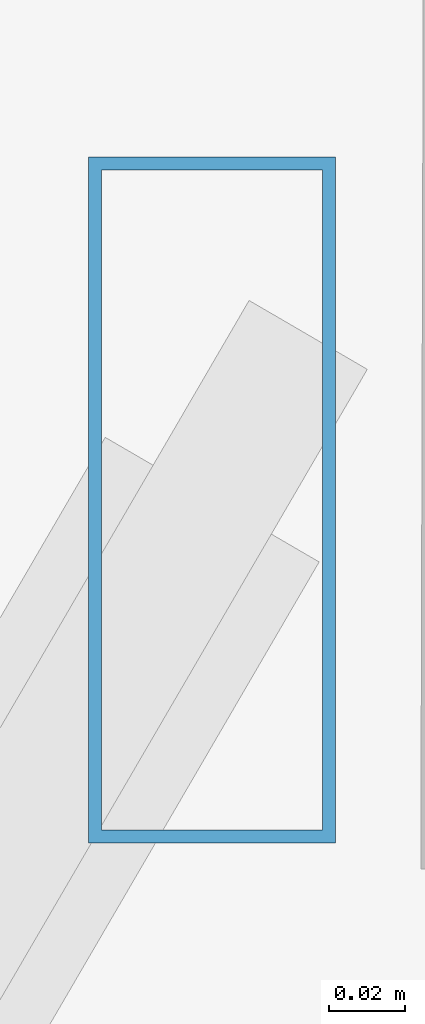
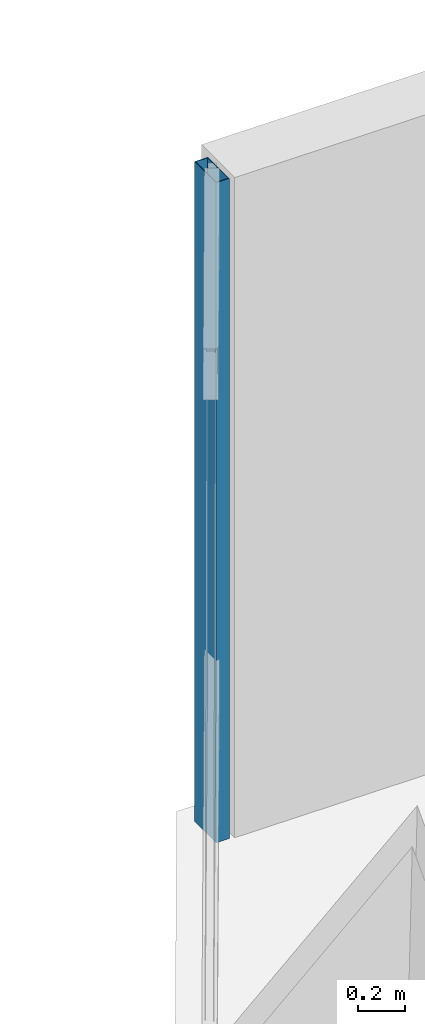
# One storey, part 20 of 29: 1 member, 1 element without a shape of its own.
"""IFC4 building model written with IfcOpenShell, lengths in metres."""

from ifc_helpers import new_model, si_unit, direction, frame, origin, origin_2d, place, context, subcontext, project, spatial, hollow_rectangle, extrude, source, transform, mapped, material, material_profile, profile_set, type_object, type_shapes, element, aggregate, save


model = new_model("IFC4")

# Units and contexts
model_context = context("Model", 3, precision=1e-05, world=origin(), true_north=direction((0.0, 1.0)))
body_context = subcontext(model_context, "Body", "Model", "MODEL_VIEW")
ifc_project = project(units=[si_unit("LENGTHUNIT", "METRE"), si_unit("AREAUNIT", "SQUARE_METRE"), si_unit("VOLUMEUNIT", "CUBIC_METRE"), si_unit("PLANEANGLEUNIT", "RADIAN"), si_unit("MASSUNIT", "GRAM", prefix="KILO")], contexts=[model_context])

# Site, building, storey
site_placement = place(None, origin())
site = spatial("IfcSite", under=ifc_project, at=site_placement, CompositionType="ELEMENT")
building_placement = place(site_placement, origin())
building = spatial("IfcBuilding", under=site, at=building_placement, Name="Caelisora Broadcast Tower", CompositionType="ELEMENT")
storey_placement = place(building_placement, frame((0.0, 0.0, 31.25)))
storey = spatial("IfcBuildingStorey", under=building, at=storey_placement, Name="L07", CompositionType="ELEMENT", Elevation=31.25)

# Curtain wall, member
ifc_material_1 = material(Name="Unitised Aluminium and Low-E Glass Curtain Wall", Category="glass")
curtain_wall_type = type_object("IfcCurtainWallType", Name="CW-Z1", PredefinedType="NOTDEFINED", material=ifc_material_1)
curtain_wall_placement = place(storey_placement, origin())
curtain_wall = element("IfcCurtainWall", 1, at=curtain_wall_placement, inside=storey, type_object=curtain_wall_type, Name="L07 curtain wall CW-Z1", PredefinedType="NOTDEFINED")
ifc_material_2 = material(Name="Aluminium 6063-T6 Anodised Terracotta Bronze", Category="aluminium")
ifc_material_profile = material_profile(ifc_material_2, hollow_rectangle(XDim=0.06494140625, YDim=0.179931640625, WallThickness=0.00341796875, at=origin_2d()), Name="Aluminium 6063-T6 Anodised Terracotta Bronze")
ifc_profile_set = profile_set([ifc_material_profile], Name="Aluminium 6063-T6 Anodised Terracotta Bronze")
member_type = type_object("IfcMemberType", Name="CWM-02", PredefinedType="MULLION", material=ifc_profile_set)
shared_shape = source(origin(), body_context, "Body", "SweptSolid", [
    extrude(hollow_rectangle(XDim=0.06494140625, YDim=0.179931640625, WallThickness=0.00341796875, at=origin_2d()), origin(), (0.0, 0.0, 1.0), 3.39990234375),
])
type_shapes(member_type, [shared_shape])
member_placement = place(storey_placement, frame((29.86181640625, 49.49169921875, 0.0), z_axis=(0.0, 0.0, 1.0), x_axis=(1.0, 0.0, 0.0)))
member = element("IfcMember", 2, at=member_placement, type_object=member_type, Name="L07-CW-B11 mullion #3", PredefinedType="MULLION", context=body_context, shape_type="MappedRepresentation", body=[
    mapped(shared_shape, transform((0.0, 0.0, 0.0), scale=1.0)),
])
aggregate(curtain_wall, [member])

save(model, "model.ifc")
